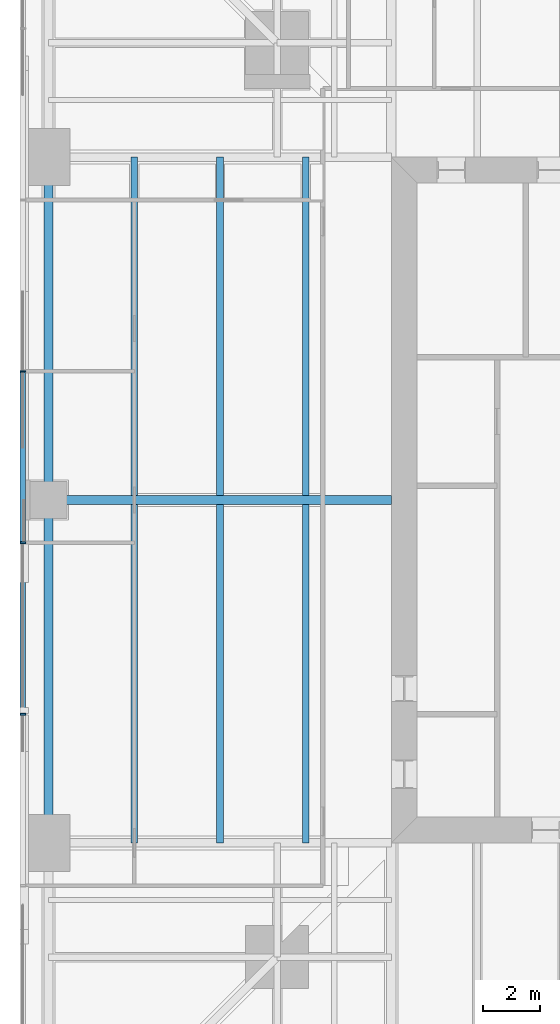
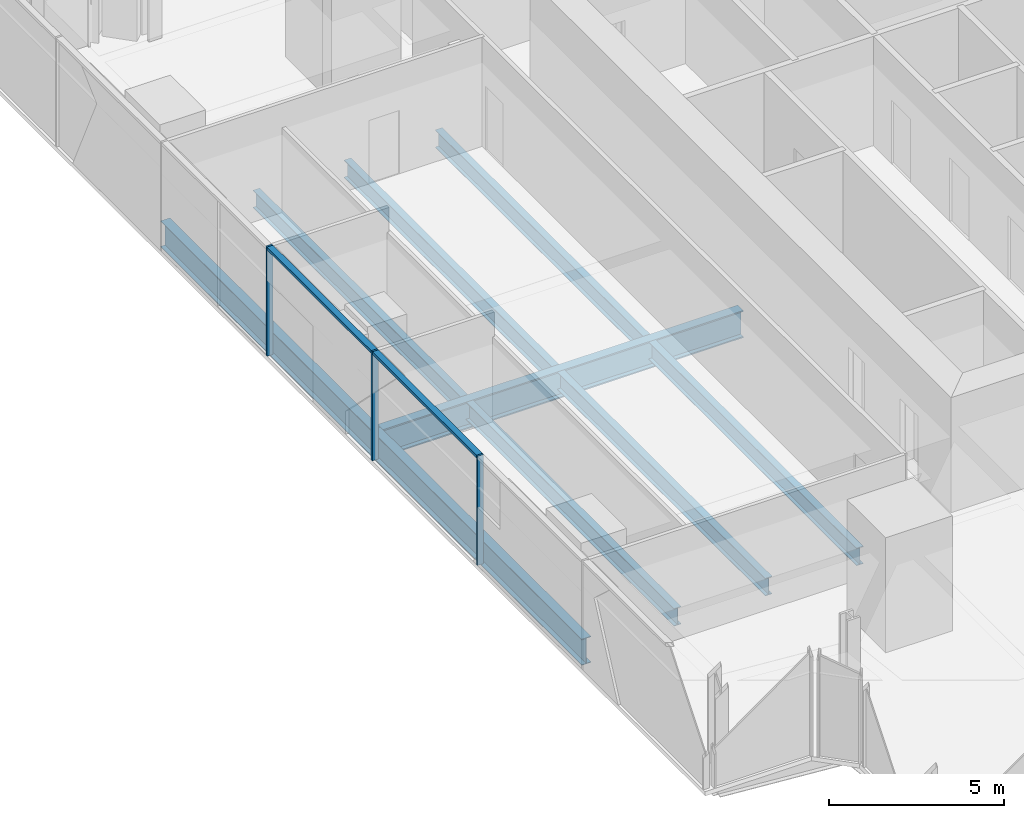
# One storey, part 4 of 13: 9 beams, 5 members, 1 element without a shape of its own.
"""IFC4 building model written with IfcOpenShell, lengths in metres."""

from ifc_helpers import new_model, si_unit, direction, frame, origin, origin_2d, place, context, subcontext, project, spatial, rectangle, i_section, extrude, material, material_profile, profile_set, type_object, element, aggregate, save


model = new_model("IFC4")

# Units and contexts
model_context = context("Model", 3, precision=1e-05, world=origin(), true_north=direction((0.0, 1.0)))
body_context = subcontext(model_context, "Body", "Model", "MODEL_VIEW")
ifc_project = project(units=[si_unit("LENGTHUNIT", "METRE"), si_unit("AREAUNIT", "SQUARE_METRE"), si_unit("VOLUMEUNIT", "CUBIC_METRE"), si_unit("PLANEANGLEUNIT", "RADIAN"), si_unit("MASSUNIT", "GRAM", prefix="KILO")], contexts=[model_context])

# Site, building, storey
site_placement = place(None, origin())
site = spatial("IfcSite", under=ifc_project, at=site_placement, CompositionType="ELEMENT")
building_placement = place(site_placement, origin())
building = spatial("IfcBuilding", under=site, at=building_placement, Name="Fenwick Lantern Interchange", CompositionType="ELEMENT")
storey_placement = place(building_placement, frame((0.0, 0.0, 158.39990234375)))
storey = spatial("IfcBuildingStorey", under=building, at=storey_placement, Name="L37", CompositionType="ELEMENT", Elevation=158.39990234375)

# Beams
ifc_material_1 = material(Name="Steel ASTM A992 Grade 50", Category="steel")
ifc_material_profile_1 = material_profile(ifc_material_1, i_section(OverallWidth=0.3046875, OverallDepth=0.911865234375, WebThickness=0.015869140625, FlangeThickness=0.02392578125, at=origin_2d()), Name="W36X150")
ifc_profile_set_1 = profile_set([ifc_material_profile_1], Name="Steel ASTM A992 Grade 50")
beam_type_1 = type_object("IfcBeamType", Name="EDGE BEAM W36X150", PredefinedType="SPANDREL", material=ifc_profile_set_1)
for number, where, z_axis, x_axis, name in (
    (1, (1.0, 37.0, -0.605712890625), (0.0, -1.0, 0.0), (1.0, 0.0, 0.0), "L37/FR/W/EB2"),
    (2, (1.0, 25.0, -0.605712890625), (0.0, -1.0, 0.0), (1.0, 0.0, 0.0), "L37/FR/W/EB3"),
):
    element("IfcBeam", number, at=place(storey_placement, frame(where, z_axis=z_axis, x_axis=x_axis)), inside=storey, type_object=beam_type_1, Name=name, PredefinedType="SPANDREL", context=body_context, shape_type="SweptSolid", body=[
        extrude(i_section(OverallWidth=0.3046875, OverallDepth=0.911865234375, WebThickness=0.015869140625, FlangeThickness=0.02392578125, at=origin_2d()), origin(), (0.0, 0.0, 1.0), 12.0),
    ])
ifc_material_profile_2 = material_profile(ifc_material_1, i_section(OverallWidth=0.22900390625, OverallDepth=0.612060546875, WebThickness=0.011962890625, FlangeThickness=0.01953125, at=origin_2d()), Name="W24X84")
ifc_profile_set_2 = profile_set([ifc_material_profile_2], Name="Steel ASTM A992 Grade 50")
beam_type_2 = type_object("IfcBeamType", Name="FLOOR BEAM W24X84", PredefinedType="BEAM", material=ifc_profile_set_2)
for number, where, z_axis, x_axis, name in (
    (3, (4.0, 37.0, -0.4560546875), (0.0, -1.0, 0.0), (1.0, 0.0, 0.0), "L37/FR/W/B01"),
    (4, (7.0, 37.0, -0.4560546875), (0.0, -1.0, 0.0), (1.0, 0.0, 0.0), "L37/FR/W/B02"),
    (5, (10.0, 37.0, -0.4560546875), (0.0, -1.0, 0.0), (1.0, 0.0, 0.0), "L37/FR/W/B03"),
    (6, (4.0, 24.844970703125, -0.4560546875), (0.0, -1.0, 0.0), (1.0, 0.0, 0.0), "L37/FR/W/B04"),
    (7, (7.0, 24.844970703125, -0.4560546875), (0.0, -1.0, 0.0), (1.0, 0.0, 0.0), "L37/FR/W/B05"),
    (8, (10.0, 24.844970703125, -0.4560546875), (0.0, -1.0, 0.0), (1.0, 0.0, 0.0), "L37/FR/W/B06"),
):
    element("IfcBeam", number, at=place(storey_placement, frame(where, z_axis=z_axis, x_axis=x_axis)), inside=storey, type_object=beam_type_2, Name=name, PredefinedType="BEAM", context=body_context, shape_type="SweptSolid", body=[
        extrude(i_section(OverallWidth=0.22900390625, OverallDepth=0.612060546875, WebThickness=0.011962890625, FlangeThickness=0.01953125, at=origin_2d()), origin(), (0.0, 0.0, 1.0), 11.844970703125),
    ])
ifc_material_profile_3 = material_profile(ifc_material_1, i_section(OverallWidth=0.309814453125, OverallDepth=0.949951171875, WebThickness=0.0244140625, FlangeThickness=0.0439453125, at=origin_2d()), Name="W36X256")
ifc_profile_set_3 = profile_set([ifc_material_profile_3], Name="Steel ASTM A992 Grade 50")
beam_type_3 = type_object("IfcBeamType", Name="MOMENT-CONNECTED GIRDER W36X256", PredefinedType="BEAM", material=ifc_profile_set_3)
beam_placement = place(storey_placement, frame((1.0, 25.0, -0.625), z_axis=(1.0, 0.0, 0.0), x_axis=(0.0, 1.0, 0.0)))
element("IfcBeam", 9, at=beam_placement, inside=storey, type_object=beam_type_3, Name="L37/FR/W/R02", PredefinedType="BEAM", context=body_context, shape_type="SweptSolid", body=[
    extrude(i_section(OverallWidth=0.309814453125, OverallDepth=0.949951171875, WebThickness=0.0244140625, FlangeThickness=0.0439453125, at=origin_2d()), origin(), (0.0, 0.0, 1.0), 12.0),
])

# Curtain wall, members
ifc_material_2 = material(Name="Aluminium curtain wall frame", Category="aluminium")
curtain_wall_type = type_object("IfcCurtainWallType", Name="OFFICE CURTAIN WALL", PredefinedType="USERDEFINED", material=ifc_material_2)
curtain_wall_placement = place(storey_placement, origin())
curtain_wall = element("IfcCurtainWall", 10, at=curtain_wall_placement, inside=storey, type_object=curtain_wall_type, Name="Office curtain wall 13", ObjectType="OFFICE CURTAIN WALL", PredefinedType="USERDEFINED")
ifc_material_3 = material(Name="Aluminium extrusion", Category="aluminium")
ifc_material_profile_4 = material_profile(ifc_material_3, rectangle(XDim=0.199951171875, YDim=0.06494140625, at=origin_2d()), Name="OFFICE CURTAIN WALL MULLION 65 X 200")
ifc_profile_set_4 = profile_set([ifc_material_profile_4], Name="Aluminium extrusion")
member_type_1 = type_object("IfcMemberType", Name="OFFICE CURTAIN WALL MULLION 65 X 200", PredefinedType="MULLION", material=ifc_profile_set_4)
member_1_placement = place(storey_placement, frame((0.10009765625, 29.5, 0.0), z_axis=(0.0, 0.0, 1.0), x_axis=(1.0, 0.0, 0.0)))
member_1 = element("IfcMember", 11, at=member_1_placement, type_object=member_type_1, Name="L37/CW/13/M03", PredefinedType="MULLION", context=body_context, shape_type="SweptSolid", body=[
    extrude(rectangle(XDim=0.199951171875, YDim=0.06494140625, at=origin_2d()), origin(), (0.0, 0.0, 1.0), 3.800048828125),
])
member_2_placement = place(storey_placement, frame((0.10009765625, 23.5, 0.0), z_axis=(0.0, 0.0, 1.0), x_axis=(1.0, 0.0, 0.0)))
member_2 = element("IfcMember", 12, at=member_2_placement, type_object=member_type_1, Name="L37/CW/13/M04", PredefinedType="MULLION", context=body_context, shape_type="SweptSolid", body=[
    extrude(rectangle(XDim=0.199951171875, YDim=0.06494140625, at=origin_2d()), origin(), (0.0, 0.0, 1.0), 3.800048828125),
])
member_3_placement = place(storey_placement, frame((0.10009765625, 17.5, 0.0), z_axis=(0.0, 0.0, 1.0), x_axis=(1.0, 0.0, 0.0)))
member_3 = element("IfcMember", 13, at=member_3_placement, type_object=member_type_1, Name="L37/CW/13/M05", PredefinedType="MULLION", context=body_context, shape_type="SweptSolid", body=[
    extrude(rectangle(XDim=0.199951171875, YDim=0.06494140625, at=origin_2d()), origin(), (0.0, 0.0, 1.0), 3.800048828125),
])
ifc_material_profile_5 = material_profile(ifc_material_3, rectangle(XDim=0.199951171875, YDim=0.10009765625, at=origin_2d()), Name="OFFICE CURTAIN WALL TRANSOM 100 X 200")
ifc_profile_set_5 = profile_set([ifc_material_profile_5], Name="Aluminium extrusion")
member_type_2 = type_object("IfcMemberType", Name="OFFICE CURTAIN WALL TRANSOM 100 X 200", PredefinedType="MULLION", material=ifc_profile_set_5)
member_4_placement = place(storey_placement, frame((0.10009765625, 29.467529296875, 3.75), z_axis=(0.0, -1.0, 0.0), x_axis=(1.0, 0.0, 0.0)))
member_4 = element("IfcMember", 14, at=member_4_placement, type_object=member_type_2, Name="L37/CW/13/T03", PredefinedType="MULLION", context=body_context, shape_type="SweptSolid", body=[
    extrude(rectangle(XDim=0.199951171875, YDim=0.10009765625, at=origin_2d()), origin(), (0.0, 0.0, 1.0), 5.93505859375),
])
member_5_placement = place(storey_placement, frame((0.10009765625, 23.467529296875, 3.75), z_axis=(0.0, -1.0, 0.0), x_axis=(1.0, 0.0, 0.0)))
member_5 = element("IfcMember", 15, at=member_5_placement, type_object=member_type_2, Name="L37/CW/13/T04", PredefinedType="MULLION", context=body_context, shape_type="SweptSolid", body=[
    extrude(rectangle(XDim=0.199951171875, YDim=0.10009765625, at=origin_2d()), origin(), (0.0, 0.0, 1.0), 5.93505859375),
])
aggregate(curtain_wall, [member_1, member_2, member_3, member_4, member_5])

save(model, "model.ifc")
